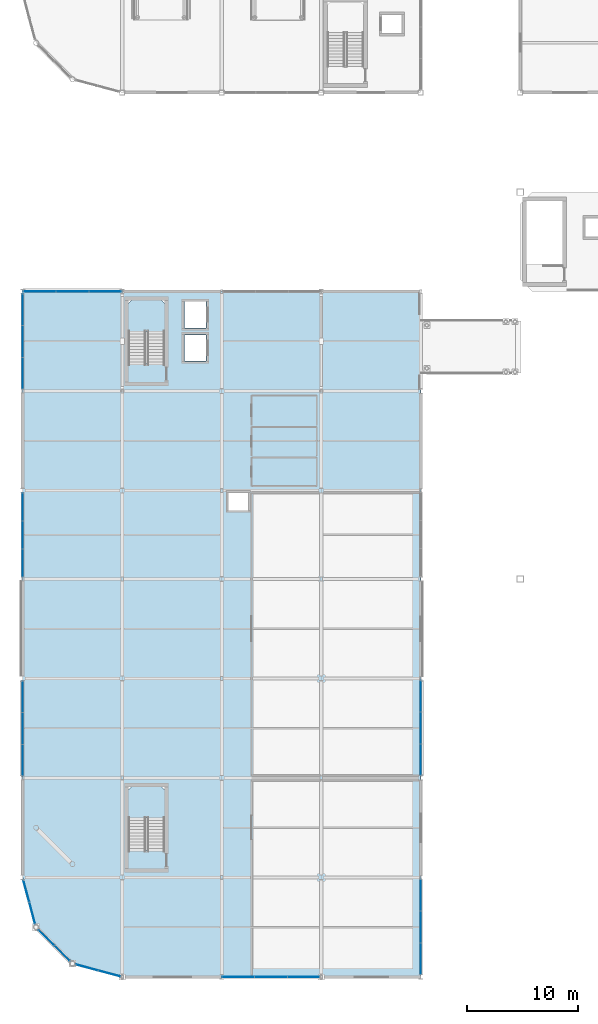
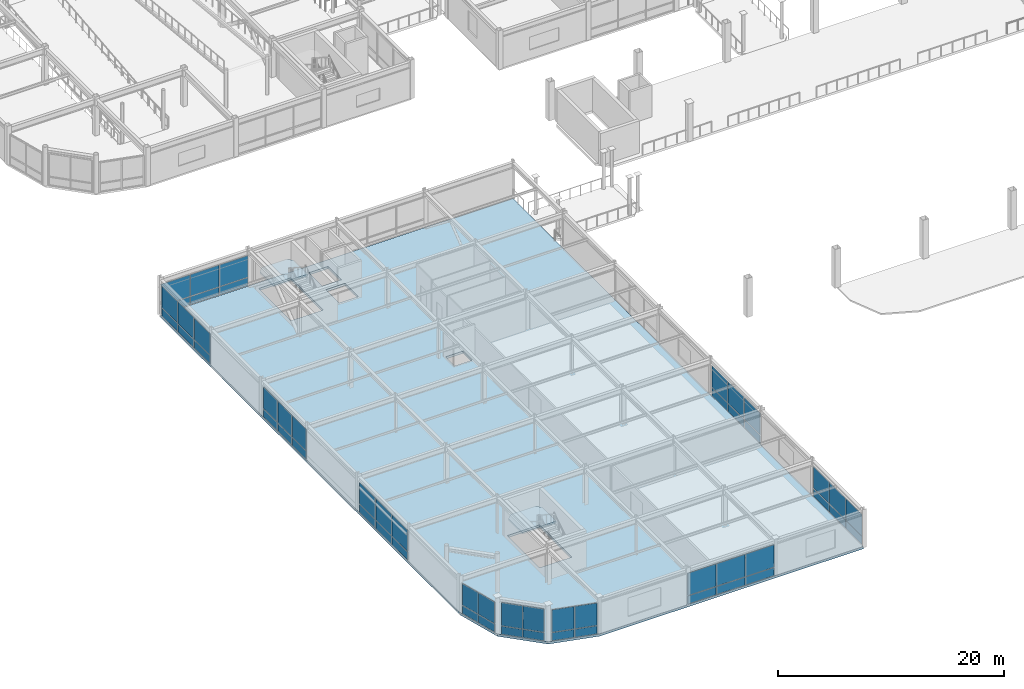
# One storey, part 61 of 105: 54 plates, 3 slabs, 12 elements without a shape of their own.
"""IFC4 building model written with IfcOpenShell, lengths in metres."""

import ifcopenshell
import ifcopenshell.guid

model = None  # the IFC model being written
_history = None  # IfcOwnerHistory: only IFC2X3 demands one
_inside = {}  # id of a spatial element -> (the spatial element, [elements in it])
_under = {}  # id of a project, library or spatial element -> (it, [spatial elements below it])
_declared = {}  # id of a project -> (the project, [libraries it declares])
_typed = {}  # id of a type object -> (the type object, [elements of that type])
_made_of = {}  # id of a material, layer set ... -> (it, [elements and type objects made of it])


def new_model(schema):
    """Start an empty IFC model of exactly this schema.

    Asked for "IFC4X3", IfcOpenShell would pick the latest addendum, in which some entities
    have other attributes; the version numbers below select the first issue.
    IFC2X3 requires an IfcOwnerHistory on every rooted entity: one is made here for all.
    """
    global model, _history
    if schema == "IFC4X3":
        model = ifcopenshell.file(schema_version=(4, 3, 0, 0))
    else:
        model = ifcopenshell.file(schema=schema)
    _inside.clear()
    _under.clear()
    _declared.clear()
    _typed.clear()
    _made_of.clear()
    _history = None
    if model.schema == "IFC2X3":
        org = make("IfcOrganization", Name="unknown")
        user = make(
            "IfcPersonAndOrganization",
            ThePerson=make("IfcPerson", FamilyName="unknown"),
            TheOrganization=org,
        )
        app = make(
            "IfcApplication",
            ApplicationDeveloper=org,
            Version="unknown",
            ApplicationFullName="unknown",
            ApplicationIdentifier="unknown",
        )
        _history = make(
            "IfcOwnerHistory",
            OwningUser=user,
            OwningApplication=app,
            ChangeAction="ADDED",
            CreationDate=0,
        )
    return model


def make(cls, **values):
    """One entity of the class cls with the attributes given. An attribute that is None is left unset."""
    return model.create_entity(
        cls, **{name: value for name, value in values.items() if value is not None}
    )


def rooted(cls, **values):
    """An entity with a GlobalId (a new one), such as an element, a storey or a relation."""
    return make(cls, GlobalId=ifcopenshell.guid.new(), OwnerHistory=_history, **values)


def si_unit(unit_type, name, prefix=None):
    """IfcSIUnit, for example si_unit("LENGTHUNIT", "METRE", prefix="MILLI")."""
    return make("IfcSIUnit", UnitType=unit_type, Prefix=prefix, Name=name)


def assignment(units):
    """IfcUnitAssignment: the units of a project."""
    return None if units is None else make("IfcUnitAssignment", Units=units)


def point(xyz):
    """IfcCartesianPoint."""
    return None if xyz is None else make("IfcCartesianPoint", Coordinates=xyz)


def direction(xyz):
    """IfcDirection."""
    return None if xyz is None else make("IfcDirection", DirectionRatios=xyz)


def frame(location, z_axis=None, x_axis=None):
    """IfcAxis2Placement3D, a coordinate frame: its origin and axes. An axis left out is left unset."""
    return make(
        "IfcAxis2Placement3D",
        Location=point(location),
        Axis=direction(z_axis),
        RefDirection=direction(x_axis),
    )


def frame_2d(location, x_axis=None):
    """IfcAxis2Placement2D, a coordinate frame in the plane: its origin and x axis."""
    return make(
        "IfcAxis2Placement2D", Location=point(location), RefDirection=direction(x_axis)
    )


def origin():
    """The frame at (0, 0, 0) with its axes left unset."""
    return frame((0.0, 0.0, 0.0))


def origin_2d():
    """The frame at (0, 0) in the plane with its x axis left unset."""
    return frame_2d((0.0, 0.0))


def place(relative_to, where):
    """IfcLocalPlacement: puts the frame where relative to a parent placement (None: the world)."""
    return make(
        "IfcLocalPlacement", PlacementRelTo=relative_to, RelativePlacement=where
    )


def context(
    kind, dimensions, precision=None, world=None, true_north=None, identifier=None
):
    """IfcGeometricRepresentationContext, for example the 3D "Model" context."""
    return make(
        "IfcGeometricRepresentationContext",
        ContextIdentifier=identifier,
        ContextType=kind,
        CoordinateSpaceDimension=dimensions,
        Precision=precision,
        WorldCoordinateSystem=world,
        TrueNorth=true_north,
    )


def subcontext(parent, identifier, kind, view, scale=None):
    """IfcGeometricRepresentationSubContext, for example "Body" below "Model"."""
    return make(
        "IfcGeometricRepresentationSubContext",
        ContextIdentifier=identifier,
        ContextType=kind,
        ParentContext=parent,
        TargetScale=scale,
        TargetView=view,
    )


def project(units=None, contexts=None):
    """IfcProject with its units and contexts."""
    return rooted(
        "IfcProject",
        Name="project",
        RepresentationContexts=contexts,
        UnitsInContext=assignment(units),
    )


def spatial(cls, under=None, at=None, **own):
    """A site, building, storey or space (cls), placed at a placement, below another one or the project."""
    s = rooted(cls, ObjectPlacement=at, **own)
    if under is not None:
        _under.setdefault(under.id(), (under, []))[1].append(s)
    return s


def polyline(points):
    """IfcPolyline through the points."""
    return make("IfcPolyline", Points=[point(p) for p in points])


def profile(cls, at=None, kind="AREA", **sizes):
    """A parametric profile (cls). Its sizes go by their IFC names, for example OverallWidth=200.0."""
    return make(cls, ProfileType=kind, Position=at, **sizes)


def rectangle(**sizes):
    """IfcRectangleProfileDef."""
    return profile("IfcRectangleProfileDef", **sizes)


def outline(outer, holes=None, kind="AREA"):
    """IfcArbitraryClosedProfileDef: a profile drawn as a closed curve; with holes, ...WithVoids."""
    if holes is None:
        return make("IfcArbitraryClosedProfileDef", ProfileType=kind, OuterCurve=outer)
    return make(
        "IfcArbitraryProfileDefWithVoids",
        ProfileType=kind,
        OuterCurve=outer,
        InnerCurves=holes,
    )


def extrude(swept, where, along, depth):
    """IfcExtrudedAreaSolid: the profile swept, set in the frame where, extruded along a direction by depth."""
    return make(
        "IfcExtrudedAreaSolid",
        SweptArea=swept,
        Position=where,
        ExtrudedDirection=direction(along),
        Depth=depth,
    )


def shape(context_of_items, identifier, shape_type, items):
    """IfcShapeRepresentation: the items that make up one representation, for example the "Body"."""
    return make(
        "IfcShapeRepresentation",
        ContextOfItems=context_of_items,
        RepresentationIdentifier=identifier,
        RepresentationType=shape_type,
        Items=items,
    )


def material(Name=None, Category=None):
    """IfcMaterial."""
    return make("IfcMaterial", Name=Name, Category=Category)


def layer(
    of_material, thickness, ventilated=None, Name=None, Category=None, Priority=None
):
    """IfcMaterialLayer: one layer of a wall or slab, of a material (None: an air gap)."""
    return make(
        "IfcMaterialLayer",
        Material=of_material,
        LayerThickness=thickness,
        IsVentilated=ventilated,
        Name=Name,
        Category=Category,
        Priority=Priority,
    )


def layer_set(layers, Name=None):
    """IfcMaterialLayerSet."""
    return make("IfcMaterialLayerSet", MaterialLayers=layers, LayerSetName=Name)


def made_of(thing, what):
    """Note that an element or type object is made of a material, layer set ...; save() writes the relation."""
    if what is not None:
        _made_of.setdefault(what.id(), (what, []))[1].append(thing)
    return thing


def type_object(cls, material=None, **own):
    """A type object (cls), such as IfcWallType, which elements share."""
    return made_of(rooted(cls, **own), material)


def element(
    cls,
    number,
    at=None,
    inside=None,
    cuts=None,
    type_object=None,
    material=None,
    context=None,
    identifier="Body",
    shape_type=None,
    held_by="IfcProductDefinitionShape",
    body=None,
    shapes=None,
    **own,
):
    """One element of the class cls, such as IfcWall. Its Tag is "e" and its number.

    at: its placement. inside: the storey or other place that contains it. cuts: it is an
    opening in that element (IfcRelVoidsElement). A single representation is given by context,
    identifier, shape_type and body (its items); several are given by shapes. held_by: the class
    of the entity that holds the representations. save() writes the other relations.
    """
    e = rooted(cls, Tag="e%d" % number, ObjectPlacement=at, **own)
    if body is not None:
        shapes = [shape(context, identifier, shape_type, body)]
    if shapes is not None:
        e.Representation = make(held_by, Representations=shapes)
    if inside is not None:
        _inside.setdefault(inside.id(), (inside, []))[1].append(e)
    if cuts is not None:
        rooted(
            "IfcRelVoidsElement", RelatingBuildingElement=cuts, RelatedOpeningElement=e
        )
    if type_object is not None:
        _typed.setdefault(type_object.id(), (type_object, []))[1].append(e)
    return made_of(e, material)


def aggregate(whole, parts):
    """IfcRelAggregates: a whole, such as a stair, and the parts it consists of."""
    return rooted("IfcRelAggregates", RelatingObject=whole, RelatedObjects=parts)


def save(model, path):
    """Write the relations noted so far, then the file.

    IfcRelAggregates (storeys below a building ...), IfcRelContainedInSpatialStructure (elements
    in a storey), IfcRelDefinesByType, IfcRelAssociatesMaterial and IfcRelDeclares: one each for
    every whole, place, type object, material and project.
    """
    for whole, parts in _under.values():
        aggregate(whole, parts)
    for where, things in _inside.values():
        rooted(
            "IfcRelContainedInSpatialStructure",
            RelatedElements=things,
            RelatingStructure=where,
        )
    for kind, things in _typed.values():
        rooted("IfcRelDefinesByType", RelatedObjects=things, RelatingType=kind)
    for what, things in _made_of.values():
        rooted("IfcRelAssociatesMaterial", RelatedObjects=things, RelatingMaterial=what)
    for by, libraries in _declared.values():
        rooted("IfcRelDeclares", RelatingContext=by, RelatedDefinitions=libraries)
    model.write(path)


model = new_model("IFC4")

# Units and contexts
model_context = context("Model", 3, precision=1e-05, world=origin(), true_north=direction((0.0, 1.0)))
body_context = subcontext(model_context, "Body", "Model", "MODEL_VIEW")
ifc_project = project(units=[si_unit("LENGTHUNIT", "METRE"), si_unit("AREAUNIT", "SQUARE_METRE"), si_unit("VOLUMEUNIT", "CUBIC_METRE"), si_unit("PLANEANGLEUNIT", "RADIAN"), si_unit("MASSUNIT", "GRAM", prefix="KILO")], contexts=[model_context])

# Site, building, storey
site_placement = place(None, origin())
site = spatial("IfcSite", under=ifc_project, at=site_placement, CompositionType="ELEMENT")
building_placement = place(site_placement, origin())
building = spatial("IfcBuilding", under=site, at=building_placement, Name="Suzunagisa Mobility Hub", CompositionType="ELEMENT")
storey_placement = place(building_placement, frame((0.0, 0.0, 5.10009765625)))
storey = spatial("IfcBuildingStorey", under=building, at=storey_placement, Name="L01", CompositionType="ELEMENT", Elevation=5.10009765625)

# Slab
ifc_material_1 = material(Name="Concrete C35/45", Category="concrete")
ifc_layer_1 = layer(ifc_material_1, 0.25)
ifc_layer_set_1 = layer_set([ifc_layer_1], Name="Concrete C35/45")
slab_type_1 = type_object("IfcSlabType", Name="Composite Slab SL-13 250mm", PredefinedType="FLOOR", material=ifc_layer_set_1)
slab_1_placement = place(storey_placement, frame((0.0, 0.0, -0.25)))
element("IfcSlab", 1, at=slab_1_placement, inside=storey, type_object=slab_type_1, Name="L01 V5 Floor Slab", PredefinedType="FLOOR", context=body_context, shape_type="SweptSolid", body=[
    extrude(outline(polyline([(0.0, 9.0), (1.205810546875, 4.5), (4.5, 1.205810546875), (9.0, 0.0), (36.0, 0.0), (36.0, 62.0), (0.0, 62.0), (0.0, 9.0)]), holes=[polyline([(18.60009765625, 42.199951171875), (20.39990234375, 42.199951171875), (20.39990234375, 43.800048828125), (18.60009765625, 43.800048828125), (18.60009765625, 42.199951171875)]), polyline([(9.56005859375, 55.47998046875), (12.840087890625, 55.47998046875), (12.840087890625, 61.199951171875), (9.56005859375, 61.199951171875), (9.56005859375, 55.47998046875)]), polyline([(14.6201171875, 55.719970703125), (16.580078125, 55.719970703125), (16.580078125, 58.080078125), (14.6201171875, 58.080078125), (14.6201171875, 55.719970703125)]), polyline([(14.6201171875, 58.719970703125), (16.580078125, 58.719970703125), (16.580078125, 61.080078125), (14.6201171875, 61.080078125), (14.6201171875, 58.719970703125)]), polyline([(9.56005859375, 11.47998046875), (12.840087890625, 11.47998046875), (12.840087890625, 17.199951171875), (9.56005859375, 17.199951171875), (9.56005859375, 11.47998046875)])]), origin(), (0.0, 0.0, 1.0), 0.25),
])

# Stair, slab
stair_type_1 = type_object("IfcStairType", Name="Dog-Leg Core Escape Stair ST-01 W1560", PredefinedType="HALF_TURN_STAIR", material=ifc_material_1)
stair_1_placement = place(storey_placement, origin())
stair_1 = element("IfcStair", 2, at=stair_1_placement, inside=storey, type_object=stair_type_1, Name="L01 Core C1 Escape Stair ST-01", PredefinedType="HALF_TURN_STAIR")
ifc_layer_2 = layer(ifc_material_1, 0.199951171875)
ifc_layer_set_2 = layer_set([ifc_layer_2], Name="Concrete C35/45")
slab_type_2 = type_object("IfcSlabType", Name="Core Stair Half-Landing Slab SL-SLND", PredefinedType="LANDING", material=ifc_layer_set_2)
slab_2_placement = place(storey_placement, frame((0.0, 0.0, 1.89990234375)))
slab_2 = element("IfcSlab", 3, at=slab_2_placement, type_object=slab_type_2, Name="ST-01 landing 1", PredefinedType="LANDING", context=body_context, shape_type="SweptSolid", body=[
    extrude(outline(polyline([(9.4599609375, 58.360107421875), (12.93994140625, 58.360107421875), (12.93994140625, 60.820068359375), (12.4599609375, 61.300048828125), (9.93994140625, 61.300048828125), (9.4599609375, 60.820068359375), (9.4599609375, 58.360107421875)])), origin(), (0.0, 0.0, 1.0), 0.199951171875),
])
aggregate(stair_1, [slab_2])

stair_type_2 = type_object("IfcStairType", Name="Dog-Leg Core Escape Stair ST-02 W1560", PredefinedType="HALF_TURN_STAIR", material=ifc_material_1)
stair_2_placement = place(storey_placement, origin())
stair_2 = element("IfcStair", 4, at=stair_2_placement, inside=storey, type_object=stair_type_2, Name="L01 Core C1B Escape Stair ST-02", PredefinedType="HALF_TURN_STAIR")
slab_3_placement = place(storey_placement, frame((0.0, 0.0, 1.89990234375)))
slab_3 = element("IfcSlab", 5, at=slab_3_placement, type_object=slab_type_2, Name="ST-02 landing 1", PredefinedType="LANDING", context=body_context, shape_type="SweptSolid", body=[
    extrude(outline(polyline([(9.4599609375, 14.360107421875), (12.93994140625, 14.360107421875), (12.93994140625, 16.820068359375), (12.4599609375, 17.300048828125), (9.93994140625, 17.300048828125), (9.4599609375, 16.820068359375), (9.4599609375, 14.360107421875)])), origin(), (0.0, 0.0, 1.0), 0.199951171875),
])
aggregate(stair_2, [slab_3])

# Curtain wall, plates
ifc_material_2 = material(Name="Thermally Broken Anodized Aluminum and Low-E Glazing", Category="aluminium")
curtain_wall_type_1 = type_object("IfcCurtainWallType", Name="Unitised Curtain Wall CW-02 4250x3400", PredefinedType="USERDEFINED", material=ifc_material_2)
curtain_wall_1_placement = place(storey_placement, origin())
curtain_wall_1 = element("IfcCurtainWall", 6, at=curtain_wall_1_placement, inside=storey, type_object=curtain_wall_type_1, Name="L01 Unitised Curtain Wall CW-10", ObjectType="UNITISED CURTAIN WALL", PredefinedType="USERDEFINED")
ifc_material_3 = material(Name="Low-E Solar-Control Double Glazing", Category="glass")
ifc_layer_3 = layer(ifc_material_3, 0.028076171875)
ifc_layer_set_3 = layer_set([ifc_layer_3], Name="Low-E Solar-Control Double Glazing")
plate_type = type_object("IfcPlateType", Name="Low-E Double Glazed Curtain Panel GP-01 28mm", PredefinedType="CURTAIN_PANEL", material=ifc_layer_set_3)
plate_1_placement = place(storey_placement, frame((0.334716796875, 7.750732421875, 0.05810546875), z_axis=(0.0, 0.0, 1.0), x_axis=(0.258814277087, -0.965927103862, 0.0)))
plate_1 = element("IfcPlate", 7, at=plate_1_placement, type_object=plate_type, Name="Curtain Wall Glazing Panel 10-P1.1", PredefinedType="CURTAIN_PANEL", context=body_context, shape_type="SweptSolid", body=[
    extrude(rectangle(XDim=1.98095703125, YDim=0.028076171875, at=origin_2d()), origin(), (0.0, 0.0, 1.0), 0.864013671875),
])
plate_2_placement = place(storey_placement, frame((0.334716796875, 7.750732421875, 0.97802734375), z_axis=(0.0, 0.0, 1.0), x_axis=(0.258814277087, -0.965927103862, 0.0)))
plate_2 = element("IfcPlate", 8, at=plate_2_placement, type_object=plate_type, Name="Curtain Wall Glazing Panel 10-P1.2", PredefinedType="CURTAIN_PANEL", context=body_context, shape_type="SweptSolid", body=[
    extrude(rectangle(XDim=1.98095703125, YDim=0.028076171875, at=origin_2d()), origin(), (0.0, 0.0, 1.0), 2.31591796875),
])
plate_3_placement = place(storey_placement, frame((0.862060546875, 5.783203125, 0.05810546875), z_axis=(0.0, 0.0, 1.0), x_axis=(0.258814277087, -0.965927103862, 0.0)))
plate_3 = element("IfcPlate", 9, at=plate_3_placement, type_object=plate_type, Name="Curtain Wall Glazing Panel 10-P2.1", PredefinedType="CURTAIN_PANEL", context=body_context, shape_type="SweptSolid", body=[
    extrude(rectangle(XDim=1.98095703125, YDim=0.028076171875, at=origin_2d()), origin(), (0.0, 0.0, 1.0), 0.864013671875),
])
plate_4_placement = place(storey_placement, frame((0.862060546875, 5.783203125, 0.97802734375), z_axis=(0.0, 0.0, 1.0), x_axis=(0.258814277087, -0.965927103862, 0.0)))
plate_4 = element("IfcPlate", 10, at=plate_4_placement, type_object=plate_type, Name="Curtain Wall Glazing Panel 10-P2.2", PredefinedType="CURTAIN_PANEL", context=body_context, shape_type="SweptSolid", body=[
    extrude(rectangle(XDim=1.98095703125, YDim=0.028076171875, at=origin_2d()), origin(), (0.0, 0.0, 1.0), 2.31591796875),
])
aggregate(curtain_wall_1, [plate_1, plate_2, plate_3, plate_4])

curtain_wall_type_2 = type_object("IfcCurtainWallType", Name="Unitised Curtain Wall CW-23 4000x3500", PredefinedType="USERDEFINED", material=ifc_material_2)
curtain_wall_2_placement = place(storey_placement, origin())
curtain_wall_2 = element("IfcCurtainWall", 11, at=curtain_wall_2_placement, inside=storey, type_object=curtain_wall_type_2, Name="L01 Unitised Curtain Wall CW-11", ObjectType="UNITISED CURTAIN WALL", PredefinedType="USERDEFINED")
plate_5_placement = place(storey_placement, frame((2.154296875, 3.551513671875, 0.05810546875), z_axis=(0.0, 0.0, 1.0), x_axis=(0.707106781187, -0.707106781187, 0.0)))
plate_5 = element("IfcPlate", 12, at=plate_5_placement, type_object=plate_type, Name="Curtain Wall Glazing Panel 11-P1.1", PredefinedType="CURTAIN_PANEL", context=body_context, shape_type="SweptSolid", body=[
    extrude(rectangle(XDim=1.920166015625, YDim=0.028076171875, at=origin_2d()), origin(), (0.0, 0.0, 1.0), 0.864013671875),
])
plate_6_placement = place(storey_placement, frame((2.154296875, 3.551513671875, 0.97802734375), z_axis=(0.0, 0.0, 1.0), x_axis=(0.707106781187, -0.707106781187, 0.0)))
plate_6 = element("IfcPlate", 13, at=plate_6_placement, type_object=plate_type, Name="Curtain Wall Glazing Panel 11-P1.2", PredefinedType="CURTAIN_PANEL", context=body_context, shape_type="SweptSolid", body=[
    extrude(rectangle(XDim=1.920166015625, YDim=0.028076171875, at=origin_2d()), origin(), (0.0, 0.0, 1.0), 2.50390625),
])
plate_7_placement = place(storey_placement, frame((3.551513671875, 2.154296875, 0.05810546875), z_axis=(0.0, 0.0, 1.0), x_axis=(0.707106781187, -0.707106781187, 0.0)))
plate_7 = element("IfcPlate", 14, at=plate_7_placement, type_object=plate_type, Name="Curtain Wall Glazing Panel 11-P2.1", PredefinedType="CURTAIN_PANEL", context=body_context, shape_type="SweptSolid", body=[
    extrude(rectangle(XDim=1.919921875, YDim=0.028076171875, at=origin_2d()), origin(), (0.0, 0.0, 1.0), 0.864013671875),
])
plate_8_placement = place(storey_placement, frame((3.551513671875, 2.154296875, 0.97802734375), z_axis=(0.0, 0.0, 1.0), x_axis=(0.707106781187, -0.707106781187, 0.0)))
plate_8 = element("IfcPlate", 15, at=plate_8_placement, type_object=plate_type, Name="Curtain Wall Glazing Panel 11-P2.2", PredefinedType="CURTAIN_PANEL", context=body_context, shape_type="SweptSolid", body=[
    extrude(rectangle(XDim=1.919921875, YDim=0.028076171875, at=origin_2d()), origin(), (0.0, 0.0, 1.0), 2.50390625),
])
aggregate(curtain_wall_2, [plate_5, plate_6, plate_7, plate_8])

curtain_wall_type_3 = type_object("IfcCurtainWallType", Name="Unitised Curtain Wall CW-24 4250x3500", PredefinedType="USERDEFINED", material=ifc_material_2)
curtain_wall_3_placement = place(storey_placement, origin())
curtain_wall_3 = element("IfcCurtainWall", 16, at=curtain_wall_3_placement, inside=storey, type_object=curtain_wall_type_3, Name="L01 Unitised Curtain Wall CW-12", ObjectType="UNITISED CURTAIN WALL", PredefinedType="USERDEFINED")
plate_9_placement = place(storey_placement, frame((5.8095703125, 0.854736328125, 0.05810546875), z_axis=(0.0, 0.0, 1.0), x_axis=(0.965924067649, -0.258825608346, 0.0)))
plate_9 = element("IfcPlate", 17, at=plate_9_placement, type_object=plate_type, Name="Curtain Wall Glazing Panel 12-P1.1", PredefinedType="CURTAIN_PANEL", context=body_context, shape_type="SweptSolid", body=[
    extrude(rectangle(XDim=2.03564453125, YDim=0.028076171875, at=origin_2d()), origin(), (0.0, 0.0, 1.0), 0.864013671875),
])
plate_10_placement = place(storey_placement, frame((5.8095703125, 0.854736328125, 0.977783203125), z_axis=(0.0, 0.0, 1.0), x_axis=(0.965924067649, -0.258825608346, 0.0)))
plate_10 = element("IfcPlate", 18, at=plate_10_placement, type_object=plate_type, Name="Curtain Wall Glazing Panel 12-P1.2", PredefinedType="CURTAIN_PANEL", context=body_context, shape_type="SweptSolid", body=[
    extrude(rectangle(XDim=2.03564453125, YDim=0.028076171875, at=origin_2d()), origin(), (0.0, 0.0, 1.0), 2.416015625),
])
plate_11_placement = place(storey_placement, frame((7.830078125, 0.3134765625, 0.05810546875), z_axis=(0.0, 0.0, 1.0), x_axis=(0.965924067649, -0.258825608346, 0.0)))
plate_11 = element("IfcPlate", 19, at=plate_11_placement, type_object=plate_type, Name="Curtain Wall Glazing Panel 12-P2.1", PredefinedType="CURTAIN_PANEL", context=body_context, shape_type="SweptSolid", body=[
    extrude(rectangle(XDim=2.03564453125, YDim=0.028076171875, at=origin_2d()), origin(), (0.0, 0.0, 1.0), 0.864013671875),
])
plate_12_placement = place(storey_placement, frame((7.830078125, 0.3134765625, 0.977783203125), z_axis=(0.0, 0.0, 1.0), x_axis=(0.965924067649, -0.258825608346, 0.0)))
plate_12 = element("IfcPlate", 20, at=plate_12_placement, type_object=plate_type, Name="Curtain Wall Glazing Panel 12-P2.2", PredefinedType="CURTAIN_PANEL", context=body_context, shape_type="SweptSolid", body=[
    extrude(rectangle(XDim=2.03564453125, YDim=0.028076171875, at=origin_2d()), origin(), (0.0, 0.0, 1.0), 2.416015625),
])
aggregate(curtain_wall_3, [plate_9, plate_10, plate_11, plate_12])

curtain_wall_type_4 = type_object("IfcCurtainWallType", Name="Unitised Curtain Wall CW-17 9000x3500", PredefinedType="USERDEFINED", material=ifc_material_2)
curtain_wall_4_placement = place(storey_placement, origin())
curtain_wall_4 = element("IfcCurtainWall", 21, at=curtain_wall_4_placement, inside=storey, type_object=curtain_wall_type_4, Name="L01 Unitised Curtain Wall CW-13", ObjectType="UNITISED CURTAIN WALL", PredefinedType="USERDEFINED")
plate_13_placement = place(storey_placement, frame((19.502197265625, 0.0, 0.06298828125), z_axis=(0.0, 0.0, 1.0), x_axis=(1.0, 0.0, 0.0)))
plate_13 = element("IfcPlate", 22, at=plate_13_placement, type_object=plate_type, Name="Curtain Wall Glazing Panel 13-P1.1", PredefinedType="CURTAIN_PANEL", context=body_context, shape_type="SweptSolid", body=[
    extrude(rectangle(XDim=2.879150390625, YDim=0.028076171875, at=origin_2d()), origin(), (0.0, 0.0, 1.0), 0.8564453125),
])
plate_14_placement = place(storey_placement, frame((19.502197265625, 0.0, 0.98046875), z_axis=(0.0, 0.0, 1.0), x_axis=(1.0, 0.0, 0.0)))
plate_14 = element("IfcPlate", 23, at=plate_14_placement, type_object=plate_type, Name="Curtain Wall Glazing Panel 13-P1.2", PredefinedType="CURTAIN_PANEL", context=body_context, shape_type="SweptSolid", body=[
    extrude(rectangle(XDim=2.879150390625, YDim=0.028076171875, at=origin_2d()), origin(), (0.0, 0.0, 1.0), 2.408447265625),
])
plate_15_placement = place(storey_placement, frame((22.4521484375, 0.0, 0.06298828125), z_axis=(0.0, 0.0, 1.0), x_axis=(1.0, 0.0, 0.0)))
plate_15 = element("IfcPlate", 24, at=plate_15_placement, type_object=plate_type, Name="Curtain Wall Glazing Panel 13-P2.1", PredefinedType="CURTAIN_PANEL", context=body_context, shape_type="SweptSolid", body=[
    extrude(rectangle(XDim=2.9091796875, YDim=0.028076171875, at=origin_2d()), origin(), (0.0, 0.0, 1.0), 0.8564453125),
])
plate_16_placement = place(storey_placement, frame((22.4521484375, 0.0, 0.98046875), z_axis=(0.0, 0.0, 1.0), x_axis=(1.0, 0.0, 0.0)))
plate_16 = element("IfcPlate", 25, at=plate_16_placement, type_object=plate_type, Name="Curtain Wall Glazing Panel 13-P2.2", PredefinedType="CURTAIN_PANEL", context=body_context, shape_type="SweptSolid", body=[
    extrude(rectangle(XDim=2.9091796875, YDim=0.028076171875, at=origin_2d()), origin(), (0.0, 0.0, 1.0), 2.408447265625),
])
plate_17_placement = place(storey_placement, frame((25.40234375, 0.0, 0.06298828125), z_axis=(0.0, 0.0, 1.0), x_axis=(1.0, 0.0, 0.0)))
plate_17 = element("IfcPlate", 26, at=plate_17_placement, type_object=plate_type, Name="Curtain Wall Glazing Panel 13-P3.1", PredefinedType="CURTAIN_PANEL", context=body_context, shape_type="SweptSolid", body=[
    extrude(rectangle(XDim=2.879150390625, YDim=0.028076171875, at=origin_2d()), origin(), (0.0, 0.0, 1.0), 0.8564453125),
])
plate_18_placement = place(storey_placement, frame((25.40234375, 0.0, 0.98046875), z_axis=(0.0, 0.0, 1.0), x_axis=(1.0, 0.0, 0.0)))
plate_18 = element("IfcPlate", 27, at=plate_18_placement, type_object=plate_type, Name="Curtain Wall Glazing Panel 13-P3.2", PredefinedType="CURTAIN_PANEL", context=body_context, shape_type="SweptSolid", body=[
    extrude(rectangle(XDim=2.879150390625, YDim=0.028076171875, at=origin_2d()), origin(), (0.0, 0.0, 1.0), 2.408447265625),
])
aggregate(curtain_wall_4, [plate_13, plate_14, plate_15, plate_16, plate_17, plate_18])

curtain_wall_type_5 = type_object("IfcCurtainWallType", Name="Unitised Curtain Wall CW-45 8750x3400", PredefinedType="USERDEFINED", material=ifc_material_2)
curtain_wall_5_placement = place(storey_placement, origin())
curtain_wall_5 = element("IfcCurtainWall", 28, at=curtain_wall_5_placement, inside=storey, type_object=curtain_wall_type_5, Name="L01 Unitised Curtain Wall CW-14", ObjectType="UNITISED CURTAIN WALL", PredefinedType="USERDEFINED")
plate_19_placement = place(storey_placement, frame((36.0, 1.656494140625, 0.06298828125), z_axis=(0.0, 0.0, 1.0), x_axis=(0.0, 1.0, 0.0)))
plate_19 = element("IfcPlate", 29, at=plate_19_placement, type_object=plate_type, Name="Curtain Wall Glazing Panel 14-P1.1", PredefinedType="CURTAIN_PANEL", context=body_context, shape_type="SweptSolid", body=[
    extrude(rectangle(XDim=2.79736328125, YDim=0.028076171875, at=origin_2d()), origin(), (0.0, 0.0, 1.0), 0.8564453125),
])
plate_20_placement = place(storey_placement, frame((36.0, 1.656494140625, 0.98046875), z_axis=(0.0, 0.0, 1.0), x_axis=(0.0, 1.0, 0.0)))
plate_20 = element("IfcPlate", 30, at=plate_20_placement, type_object=plate_type, Name="Curtain Wall Glazing Panel 14-P1.2", PredefinedType="CURTAIN_PANEL", context=body_context, shape_type="SweptSolid", body=[
    extrude(rectangle(XDim=2.79736328125, YDim=0.028076171875, at=origin_2d()), origin(), (0.0, 0.0, 1.0), 2.30859375),
])
plate_21_placement = place(storey_placement, frame((36.0, 4.52490234375, 0.06298828125), z_axis=(0.0, 0.0, 1.0), x_axis=(0.0, 1.0, 0.0)))
plate_21 = element("IfcPlate", 31, at=plate_21_placement, type_object=plate_type, Name="Curtain Wall Glazing Panel 14-P2.1", PredefinedType="CURTAIN_PANEL", context=body_context, shape_type="SweptSolid", body=[
    extrude(rectangle(XDim=2.827392578125, YDim=0.028076171875, at=origin_2d()), origin(), (0.0, 0.0, 1.0), 0.8564453125),
])
plate_22_placement = place(storey_placement, frame((36.0, 4.52490234375, 0.98046875), z_axis=(0.0, 0.0, 1.0), x_axis=(0.0, 1.0, 0.0)))
plate_22 = element("IfcPlate", 32, at=plate_22_placement, type_object=plate_type, Name="Curtain Wall Glazing Panel 14-P2.2", PredefinedType="CURTAIN_PANEL", context=body_context, shape_type="SweptSolid", body=[
    extrude(rectangle(XDim=2.827392578125, YDim=0.028076171875, at=origin_2d()), origin(), (0.0, 0.0, 1.0), 2.30859375),
])
plate_23_placement = place(storey_placement, frame((36.0, 7.393310546875, 0.06298828125), z_axis=(0.0, 0.0, 1.0), x_axis=(0.0, 1.0, 0.0)))
plate_23 = element("IfcPlate", 33, at=plate_23_placement, type_object=plate_type, Name="Curtain Wall Glazing Panel 14-P3.1", PredefinedType="CURTAIN_PANEL", context=body_context, shape_type="SweptSolid", body=[
    extrude(rectangle(XDim=2.79736328125, YDim=0.028076171875, at=origin_2d()), origin(), (0.0, 0.0, 1.0), 0.8564453125),
])
plate_24_placement = place(storey_placement, frame((36.0, 7.393310546875, 0.98046875), z_axis=(0.0, 0.0, 1.0), x_axis=(0.0, 1.0, 0.0)))
plate_24 = element("IfcPlate", 34, at=plate_24_placement, type_object=plate_type, Name="Curtain Wall Glazing Panel 14-P3.2", PredefinedType="CURTAIN_PANEL", context=body_context, shape_type="SweptSolid", body=[
    extrude(rectangle(XDim=2.79736328125, YDim=0.028076171875, at=origin_2d()), origin(), (0.0, 0.0, 1.0), 2.30859375),
])
aggregate(curtain_wall_5, [plate_19, plate_20, plate_21, plate_22, plate_23, plate_24])

curtain_wall_6_placement = place(storey_placement, origin())
curtain_wall_6 = element("IfcCurtainWall", 35, at=curtain_wall_6_placement, inside=storey, type_object=curtain_wall_type_5, Name="L01 Unitised Curtain Wall CW-15", ObjectType="UNITISED CURTAIN WALL", PredefinedType="USERDEFINED")
plate_25_placement = place(storey_placement, frame((36.0, 19.656494140625, 0.06298828125), z_axis=(0.0, 0.0, 1.0), x_axis=(0.0, 1.0, 0.0)))
plate_25 = element("IfcPlate", 36, at=plate_25_placement, type_object=plate_type, Name="Curtain Wall Glazing Panel 15-P1.1", PredefinedType="CURTAIN_PANEL", context=body_context, shape_type="SweptSolid", body=[
    extrude(rectangle(XDim=2.79736328125, YDim=0.028076171875, at=origin_2d()), origin(), (0.0, 0.0, 1.0), 0.8564453125),
])
plate_26_placement = place(storey_placement, frame((36.0, 19.656494140625, 0.980224609375), z_axis=(0.0, 0.0, 1.0), x_axis=(0.0, 1.0, 0.0)))
plate_26 = element("IfcPlate", 37, at=plate_26_placement, type_object=plate_type, Name="Curtain Wall Glazing Panel 15-P1.2", PredefinedType="CURTAIN_PANEL", context=body_context, shape_type="SweptSolid", body=[
    extrude(rectangle(XDim=2.79736328125, YDim=0.028076171875, at=origin_2d()), origin(), (0.0, 0.0, 1.0), 2.32861328125),
])
plate_27_placement = place(storey_placement, frame((36.0, 22.52490234375, 0.06298828125), z_axis=(0.0, 0.0, 1.0), x_axis=(0.0, 1.0, 0.0)))
plate_27 = element("IfcPlate", 38, at=plate_27_placement, type_object=plate_type, Name="Curtain Wall Glazing Panel 15-P2.1", PredefinedType="CURTAIN_PANEL", context=body_context, shape_type="SweptSolid", body=[
    extrude(rectangle(XDim=2.827392578125, YDim=0.028076171875, at=origin_2d()), origin(), (0.0, 0.0, 1.0), 0.8564453125),
])
plate_28_placement = place(storey_placement, frame((36.0, 22.52490234375, 0.980224609375), z_axis=(0.0, 0.0, 1.0), x_axis=(0.0, 1.0, 0.0)))
plate_28 = element("IfcPlate", 39, at=plate_28_placement, type_object=plate_type, Name="Curtain Wall Glazing Panel 15-P2.2", PredefinedType="CURTAIN_PANEL", context=body_context, shape_type="SweptSolid", body=[
    extrude(rectangle(XDim=2.827392578125, YDim=0.028076171875, at=origin_2d()), origin(), (0.0, 0.0, 1.0), 2.32861328125),
])
plate_29_placement = place(storey_placement, frame((36.0, 25.393310546875, 0.06298828125), z_axis=(0.0, 0.0, 1.0), x_axis=(0.0, 1.0, 0.0)))
plate_29 = element("IfcPlate", 40, at=plate_29_placement, type_object=plate_type, Name="Curtain Wall Glazing Panel 15-P3.1", PredefinedType="CURTAIN_PANEL", context=body_context, shape_type="SweptSolid", body=[
    extrude(rectangle(XDim=2.79736328125, YDim=0.028076171875, at=origin_2d()), origin(), (0.0, 0.0, 1.0), 0.8564453125),
])
plate_30_placement = place(storey_placement, frame((36.0, 25.393310546875, 0.980224609375), z_axis=(0.0, 0.0, 1.0), x_axis=(0.0, 1.0, 0.0)))
plate_30 = element("IfcPlate", 41, at=plate_30_placement, type_object=plate_type, Name="Curtain Wall Glazing Panel 15-P3.2", PredefinedType="CURTAIN_PANEL", context=body_context, shape_type="SweptSolid", body=[
    extrude(rectangle(XDim=2.79736328125, YDim=0.028076171875, at=origin_2d()), origin(), (0.0, 0.0, 1.0), 2.32861328125),
])
aggregate(curtain_wall_6, [plate_25, plate_26, plate_27, plate_28, plate_29, plate_30])

curtain_wall_type_6 = type_object("IfcCurtainWallType", Name="Unitised Curtain Wall CW-41 9000x3400", PredefinedType="USERDEFINED", material=ifc_material_2)
curtain_wall_7_placement = place(storey_placement, origin())
curtain_wall_7 = element("IfcCurtainWall", 42, at=curtain_wall_7_placement, inside=storey, type_object=curtain_wall_type_6, Name="L01 Unitised Curtain Wall CW-18", ObjectType="UNITISED CURTAIN WALL", PredefinedType="USERDEFINED")
plate_31_placement = place(storey_placement, frame((7.48193359375, 62.0, 0.06298828125), z_axis=(0.0, 0.0, 1.0), x_axis=(-1.0, 0.0, 0.0)))
plate_31 = element("IfcPlate", 43, at=plate_31_placement, type_object=plate_type, Name="Curtain Wall Glazing Panel 18-P1.1", PredefinedType="CURTAIN_PANEL", context=body_context, shape_type="SweptSolid", body=[
    extrude(rectangle(XDim=2.910888671875, YDim=0.028076171875, at=origin_2d()), origin(), (0.0, 0.0, 1.0), 0.8564453125),
])
plate_32_placement = place(storey_placement, frame((7.48193359375, 62.0, 0.980224609375), z_axis=(0.0, 0.0, 1.0), x_axis=(-1.0, 0.0, 0.0)))
plate_32 = element("IfcPlate", 44, at=plate_32_placement, type_object=plate_type, Name="Curtain Wall Glazing Panel 18-P1.2", PredefinedType="CURTAIN_PANEL", context=body_context, shape_type="SweptSolid", body=[
    extrude(rectangle(XDim=2.910888671875, YDim=0.028076171875, at=origin_2d()), origin(), (0.0, 0.0, 1.0), 2.32861328125),
])
plate_33_placement = place(storey_placement, frame((4.5, 62.0, 0.06298828125), z_axis=(0.0, 0.0, 1.0), x_axis=(-1.0, 0.0, 0.0)))
plate_33 = element("IfcPlate", 45, at=plate_33_placement, type_object=plate_type, Name="Curtain Wall Glazing Panel 18-P2.1", PredefinedType="CURTAIN_PANEL", context=body_context, shape_type="SweptSolid", body=[
    extrude(rectangle(XDim=2.94091796875, YDim=0.028076171875, at=origin_2d()), origin(), (0.0, 0.0, 1.0), 0.8564453125),
])
plate_34_placement = place(storey_placement, frame((4.5, 62.0, 0.980224609375), z_axis=(0.0, 0.0, 1.0), x_axis=(-1.0, 0.0, 0.0)))
plate_34 = element("IfcPlate", 46, at=plate_34_placement, type_object=plate_type, Name="Curtain Wall Glazing Panel 18-P2.2", PredefinedType="CURTAIN_PANEL", context=body_context, shape_type="SweptSolid", body=[
    extrude(rectangle(XDim=2.94091796875, YDim=0.028076171875, at=origin_2d()), origin(), (0.0, 0.0, 1.0), 2.32861328125),
])
plate_35_placement = place(storey_placement, frame((1.51806640625, 62.0, 0.06298828125), z_axis=(0.0, 0.0, 1.0), x_axis=(-1.0, 0.0, 0.0)))
plate_35 = element("IfcPlate", 47, at=plate_35_placement, type_object=plate_type, Name="Curtain Wall Glazing Panel 18-P3.1", PredefinedType="CURTAIN_PANEL", context=body_context, shape_type="SweptSolid", body=[
    extrude(rectangle(XDim=2.910888671875, YDim=0.028076171875, at=origin_2d()), origin(), (0.0, 0.0, 1.0), 0.8564453125),
])
plate_36_placement = place(storey_placement, frame((1.51806640625, 62.0, 0.980224609375), z_axis=(0.0, 0.0, 1.0), x_axis=(-1.0, 0.0, 0.0)))
plate_36 = element("IfcPlate", 48, at=plate_36_placement, type_object=plate_type, Name="Curtain Wall Glazing Panel 18-P3.2", PredefinedType="CURTAIN_PANEL", context=body_context, shape_type="SweptSolid", body=[
    extrude(rectangle(XDim=2.910888671875, YDim=0.028076171875, at=origin_2d()), origin(), (0.0, 0.0, 1.0), 2.32861328125),
])
aggregate(curtain_wall_7, [plate_31, plate_32, plate_33, plate_34, plate_35, plate_36])

curtain_wall_8_placement = place(storey_placement, origin())
curtain_wall_8 = element("IfcCurtainWall", 49, at=curtain_wall_8_placement, inside=storey, type_object=curtain_wall_type_5, Name="L01 Unitised Curtain Wall CW-19", ObjectType="UNITISED CURTAIN WALL", PredefinedType="USERDEFINED")
plate_37_placement = place(storey_placement, frame((0.0, 60.34326171875, 0.06298828125), z_axis=(0.0, 0.0, 1.0), x_axis=(0.0, -1.0, 0.0)))
plate_37 = element("IfcPlate", 50, at=plate_37_placement, type_object=plate_type, Name="Curtain Wall Glazing Panel 19-P1.1", PredefinedType="CURTAIN_PANEL", context=body_context, shape_type="SweptSolid", body=[
    extrude(rectangle(XDim=2.79736328125, YDim=0.028076171875, at=origin_2d()), origin(), (0.0, 0.0, 1.0), 0.8564453125),
])
plate_38_placement = place(storey_placement, frame((0.0, 60.34326171875, 0.980224609375), z_axis=(0.0, 0.0, 1.0), x_axis=(0.0, -1.0, 0.0)))
plate_38 = element("IfcPlate", 51, at=plate_38_placement, type_object=plate_type, Name="Curtain Wall Glazing Panel 19-P1.2", PredefinedType="CURTAIN_PANEL", context=body_context, shape_type="SweptSolid", body=[
    extrude(rectangle(XDim=2.79736328125, YDim=0.028076171875, at=origin_2d()), origin(), (0.0, 0.0, 1.0), 2.32861328125),
])
plate_39_placement = place(storey_placement, frame((0.0, 57.47509765625, 0.06298828125), z_axis=(0.0, 0.0, 1.0), x_axis=(0.0, -1.0, 0.0)))
plate_39 = element("IfcPlate", 52, at=plate_39_placement, type_object=plate_type, Name="Curtain Wall Glazing Panel 19-P2.1", PredefinedType="CURTAIN_PANEL", context=body_context, shape_type="SweptSolid", body=[
    extrude(rectangle(XDim=2.827392578125, YDim=0.028076171875, at=origin_2d()), origin(), (0.0, 0.0, 1.0), 0.8564453125),
])
plate_40_placement = place(storey_placement, frame((0.0, 57.47509765625, 0.980224609375), z_axis=(0.0, 0.0, 1.0), x_axis=(0.0, -1.0, 0.0)))
plate_40 = element("IfcPlate", 53, at=plate_40_placement, type_object=plate_type, Name="Curtain Wall Glazing Panel 19-P2.2", PredefinedType="CURTAIN_PANEL", context=body_context, shape_type="SweptSolid", body=[
    extrude(rectangle(XDim=2.827392578125, YDim=0.028076171875, at=origin_2d()), origin(), (0.0, 0.0, 1.0), 2.32861328125),
])
plate_41_placement = place(storey_placement, frame((0.0, 54.606689453125, 0.06298828125), z_axis=(0.0, 0.0, 1.0), x_axis=(0.0, -1.0, 0.0)))
plate_41 = element("IfcPlate", 54, at=plate_41_placement, type_object=plate_type, Name="Curtain Wall Glazing Panel 19-P3.1", PredefinedType="CURTAIN_PANEL", context=body_context, shape_type="SweptSolid", body=[
    extrude(rectangle(XDim=2.79736328125, YDim=0.028076171875, at=origin_2d()), origin(), (0.0, 0.0, 1.0), 0.8564453125),
])
plate_42_placement = place(storey_placement, frame((0.0, 54.606689453125, 0.980224609375), z_axis=(0.0, 0.0, 1.0), x_axis=(0.0, -1.0, 0.0)))
plate_42 = element("IfcPlate", 55, at=plate_42_placement, type_object=plate_type, Name="Curtain Wall Glazing Panel 19-P3.2", PredefinedType="CURTAIN_PANEL", context=body_context, shape_type="SweptSolid", body=[
    extrude(rectangle(XDim=2.79736328125, YDim=0.028076171875, at=origin_2d()), origin(), (0.0, 0.0, 1.0), 2.32861328125),
])
aggregate(curtain_wall_8, [plate_37, plate_38, plate_39, plate_40, plate_41, plate_42])

curtain_wall_type_7 = type_object("IfcCurtainWallType", Name="Unitised Curtain Wall CW-28 7750x3400", PredefinedType="USERDEFINED", material=ifc_material_2)
curtain_wall_9_placement = place(storey_placement, origin())
curtain_wall_9 = element("IfcCurtainWall", 56, at=curtain_wall_9_placement, inside=storey, type_object=curtain_wall_type_7, Name="L01 Unitised Curtain Wall CW-20", ObjectType="UNITISED CURTAIN WALL", PredefinedType="USERDEFINED")
plate_43_placement = place(storey_placement, frame((0.0, 42.510009765625, 0.06298828125), z_axis=(0.0, 0.0, 1.0), x_axis=(0.0, -1.0, 0.0)))
plate_43 = element("IfcPlate", 57, at=plate_43_placement, type_object=plate_type, Name="Curtain Wall Glazing Panel 20-P1.1", PredefinedType="CURTAIN_PANEL", context=body_context, shape_type="SweptSolid", body=[
    extrude(rectangle(XDim=2.464111328125, YDim=0.028076171875, at=origin_2d()), origin(), (0.0, 0.0, 1.0), 0.8564453125),
])
plate_44_placement = place(storey_placement, frame((0.0, 42.510009765625, 0.980224609375), z_axis=(0.0, 0.0, 1.0), x_axis=(0.0, -1.0, 0.0)))
plate_44 = element("IfcPlate", 58, at=plate_44_placement, type_object=plate_type, Name="Curtain Wall Glazing Panel 20-P1.2", PredefinedType="CURTAIN_PANEL", context=body_context, shape_type="SweptSolid", body=[
    extrude(rectangle(XDim=2.464111328125, YDim=0.028076171875, at=origin_2d()), origin(), (0.0, 0.0, 1.0), 2.32861328125),
])
plate_45_placement = place(storey_placement, frame((0.0, 39.97509765625, 0.06298828125), z_axis=(0.0, 0.0, 1.0), x_axis=(0.0, -1.0, 0.0)))
plate_45 = element("IfcPlate", 59, at=plate_45_placement, type_object=plate_type, Name="Curtain Wall Glazing Panel 20-P2.1", PredefinedType="CURTAIN_PANEL", context=body_context, shape_type="SweptSolid", body=[
    extrude(rectangle(XDim=2.493896484375, YDim=0.028076171875, at=origin_2d()), origin(), (0.0, 0.0, 1.0), 0.8564453125),
])
plate_46_placement = place(storey_placement, frame((0.0, 39.97509765625, 0.980224609375), z_axis=(0.0, 0.0, 1.0), x_axis=(0.0, -1.0, 0.0)))
plate_46 = element("IfcPlate", 60, at=plate_46_placement, type_object=plate_type, Name="Curtain Wall Glazing Panel 20-P2.2", PredefinedType="CURTAIN_PANEL", context=body_context, shape_type="SweptSolid", body=[
    extrude(rectangle(XDim=2.493896484375, YDim=0.028076171875, at=origin_2d()), origin(), (0.0, 0.0, 1.0), 2.32861328125),
])
plate_47_placement = place(storey_placement, frame((0.0, 37.43994140625, 0.06298828125), z_axis=(0.0, 0.0, 1.0), x_axis=(0.0, -1.0, 0.0)))
plate_47 = element("IfcPlate", 61, at=plate_47_placement, type_object=plate_type, Name="Curtain Wall Glazing Panel 20-P3.1", PredefinedType="CURTAIN_PANEL", context=body_context, shape_type="SweptSolid", body=[
    extrude(rectangle(XDim=2.464111328125, YDim=0.028076171875, at=origin_2d()), origin(), (0.0, 0.0, 1.0), 0.8564453125),
])
plate_48_placement = place(storey_placement, frame((0.0, 37.43994140625, 0.980224609375), z_axis=(0.0, 0.0, 1.0), x_axis=(0.0, -1.0, 0.0)))
plate_48 = element("IfcPlate", 62, at=plate_48_placement, type_object=plate_type, Name="Curtain Wall Glazing Panel 20-P3.2", PredefinedType="CURTAIN_PANEL", context=body_context, shape_type="SweptSolid", body=[
    extrude(rectangle(XDim=2.464111328125, YDim=0.028076171875, at=origin_2d()), origin(), (0.0, 0.0, 1.0), 2.32861328125),
])
aggregate(curtain_wall_9, [plate_43, plate_44, plate_45, plate_46, plate_47, plate_48])

curtain_wall_10_placement = place(storey_placement, origin())
curtain_wall_10 = element("IfcCurtainWall", 63, at=curtain_wall_10_placement, inside=storey, type_object=curtain_wall_type_5, Name="L01 Unitised Curtain Wall CW-21", ObjectType="UNITISED CURTAIN WALL", PredefinedType="USERDEFINED")
plate_49_placement = place(storey_placement, frame((0.0, 25.343505859375, 0.06298828125), z_axis=(0.0, 0.0, 1.0), x_axis=(0.0, -1.0, 0.0)))
plate_49 = element("IfcPlate", 64, at=plate_49_placement, type_object=plate_type, Name="Curtain Wall Glazing Panel 21-P1.1", PredefinedType="CURTAIN_PANEL", context=body_context, shape_type="SweptSolid", body=[
    extrude(rectangle(XDim=2.79736328125, YDim=0.028076171875, at=origin_2d()), origin(), (0.0, 0.0, 1.0), 0.8564453125),
])
plate_50_placement = place(storey_placement, frame((0.0, 25.343505859375, 0.98046875), z_axis=(0.0, 0.0, 1.0), x_axis=(0.0, -1.0, 0.0)))
plate_50 = element("IfcPlate", 65, at=plate_50_placement, type_object=plate_type, Name="Curtain Wall Glazing Panel 21-P1.2", PredefinedType="CURTAIN_PANEL", context=body_context, shape_type="SweptSolid", body=[
    extrude(rectangle(XDim=2.79736328125, YDim=0.028076171875, at=origin_2d()), origin(), (0.0, 0.0, 1.0), 2.30859375),
])
plate_51_placement = place(storey_placement, frame((0.0, 22.47509765625, 0.06298828125), z_axis=(0.0, 0.0, 1.0), x_axis=(0.0, -1.0, 0.0)))
plate_51 = element("IfcPlate", 66, at=plate_51_placement, type_object=plate_type, Name="Curtain Wall Glazing Panel 21-P2.1", PredefinedType="CURTAIN_PANEL", context=body_context, shape_type="SweptSolid", body=[
    extrude(rectangle(XDim=2.827392578125, YDim=0.028076171875, at=origin_2d()), origin(), (0.0, 0.0, 1.0), 0.8564453125),
])
plate_52_placement = place(storey_placement, frame((0.0, 22.47509765625, 0.98046875), z_axis=(0.0, 0.0, 1.0), x_axis=(0.0, -1.0, 0.0)))
plate_52 = element("IfcPlate", 67, at=plate_52_placement, type_object=plate_type, Name="Curtain Wall Glazing Panel 21-P2.2", PredefinedType="CURTAIN_PANEL", context=body_context, shape_type="SweptSolid", body=[
    extrude(rectangle(XDim=2.827392578125, YDim=0.028076171875, at=origin_2d()), origin(), (0.0, 0.0, 1.0), 2.30859375),
])
plate_53_placement = place(storey_placement, frame((0.0, 19.606689453125, 0.06298828125), z_axis=(0.0, 0.0, 1.0), x_axis=(0.0, -1.0, 0.0)))
plate_53 = element("IfcPlate", 68, at=plate_53_placement, type_object=plate_type, Name="Curtain Wall Glazing Panel 21-P3.1", PredefinedType="CURTAIN_PANEL", context=body_context, shape_type="SweptSolid", body=[
    extrude(rectangle(XDim=2.79736328125, YDim=0.028076171875, at=origin_2d()), origin(), (0.0, 0.0, 1.0), 0.8564453125),
])
plate_54_placement = place(storey_placement, frame((0.0, 19.606689453125, 0.98046875), z_axis=(0.0, 0.0, 1.0), x_axis=(0.0, -1.0, 0.0)))
plate_54 = element("IfcPlate", 69, at=plate_54_placement, type_object=plate_type, Name="Curtain Wall Glazing Panel 21-P3.2", PredefinedType="CURTAIN_PANEL", context=body_context, shape_type="SweptSolid", body=[
    extrude(rectangle(XDim=2.79736328125, YDim=0.028076171875, at=origin_2d()), origin(), (0.0, 0.0, 1.0), 2.30859375),
])
aggregate(curtain_wall_10, [plate_49, plate_50, plate_51, plate_52, plate_53, plate_54])

save(model, "model.ifc")
